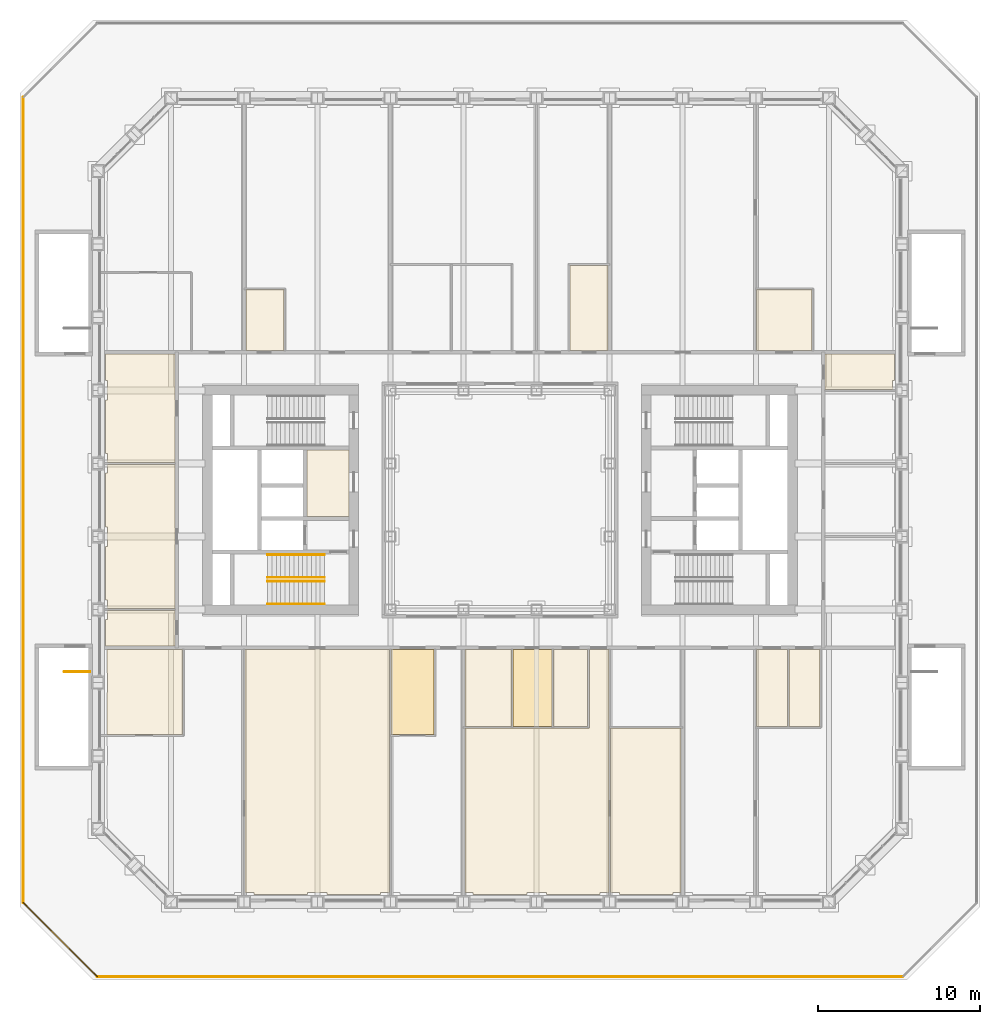
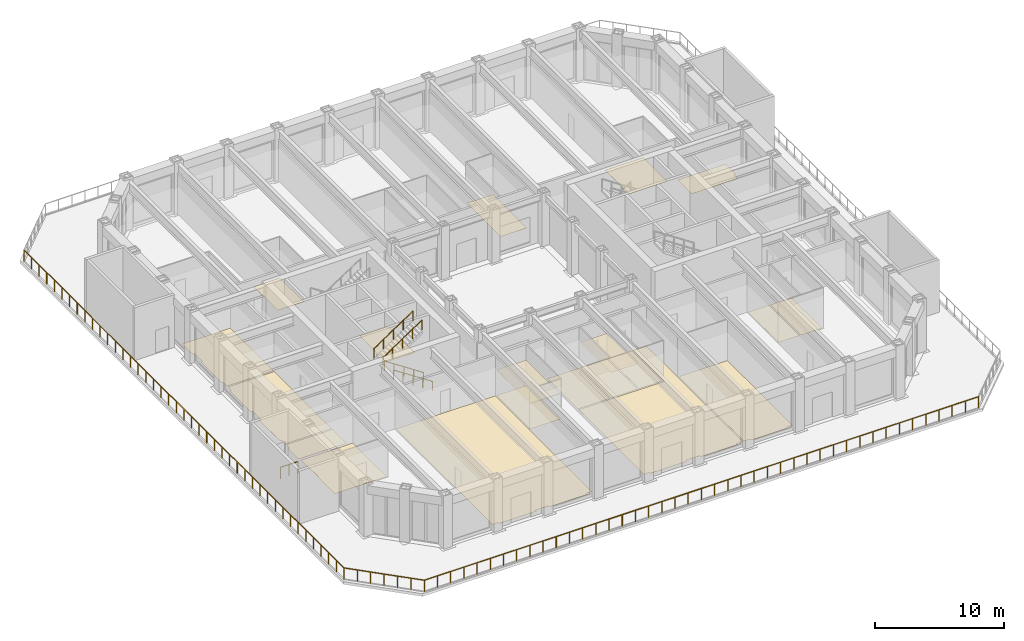
# One storey, part 15 of 18: 8 railings, 2 coverings.
"""IFC4 building model written with IfcOpenShell, lengths in metres."""

from ifc_helpers import new_model, si_unit, direction, frame, origin, origin_2d, place, context, subcontext, project, spatial, line, indexed_curve, circle, outline, extrude, material, layer, layer_set, type_object, element, save


model = new_model("IFC4")

# Units and contexts
model_context = context("Model", 3, precision=1e-05, world=origin(), true_north=direction((0.0, 1.0)))
body_context = subcontext(model_context, "Body", "Model", "MODEL_VIEW")
ifc_project = project(units=[si_unit("LENGTHUNIT", "METRE"), si_unit("AREAUNIT", "SQUARE_METRE"), si_unit("VOLUMEUNIT", "CUBIC_METRE"), si_unit("PLANEANGLEUNIT", "RADIAN"), si_unit("MASSUNIT", "GRAM", prefix="KILO")], contexts=[model_context])

# Site, building, storey
site_placement = place(None, origin())
site = spatial("IfcSite", under=ifc_project, at=site_placement, CompositionType="ELEMENT")
building_placement = place(site_placement, origin())
building = spatial("IfcBuilding", under=site, at=building_placement, Name="Msasa Ring Tower", CompositionType="ELEMENT")
storey_placement = place(building_placement, frame((0.0, 0.0, 21.5)))
storey = spatial("IfcBuildingStorey", under=building, at=storey_placement, Name="L04", CompositionType="ELEMENT", Elevation=21.5)

# Coverings
ifc_material_1 = material(Name="Perforated aluminium ceiling pans on a steel grid", Category="steel")
ifc_layer_1 = layer(ifc_material_1, 0.02490234375)
ifc_layer_set_1 = layer_set([ifc_layer_1], Name="C4 PERFORATED METAL PAN CEILING 25")
covering_type_1 = type_object("IfcCoveringType", Name="C4 PERFORATED METAL PAN CEILING 25", PredefinedType="CEILING", material=ifc_layer_set_1)
covering_1_placement = place(storey_placement, frame((0.0, 0.0, 2.39990234375)))
element("IfcCovering", 1, at=covering_1_placement, inside=storey, type_object=covering_type_1, Name="Perforated Metal Pan Ceiling 25 L04", PredefinedType="CEILING", context=body_context, shape_type="SweptSolid", body=[
    extrude(outline(indexed_curve([(-4.050537109375, -9.200439453125), (-4.050537109375, -14.449462890625), (-6.699462890625, -14.449462890625), (-6.699462890625, -9.200439453125)], segments=[line(1, 2, 3, 4, 1)], self_intersect=False)), origin(), (0.0, 0.0, 1.0), 0.025146484375),
    extrude(outline(indexed_curve([(3.199462890625, -9.200439453125), (3.199462890625, -13.949462890625), (0.800537109375, -13.949462890625), (0.800537109375, -9.200439453125)], segments=[line(1, 2, 3, 4, 1)], self_intersect=False)), origin(), (0.0, 0.0, 1.0), 0.025146484375),
])
ifc_material_2 = material(Name="Welded vinyl safety sheet flooring", Category="vinyl")
ifc_layer_2 = layer(ifc_material_2, 0.0029296875)
ifc_layer_set_2 = layer_set([ifc_layer_2], Name="F5 RESILIENT SHEET FLOORING 3")
covering_type_2 = type_object("IfcCoveringType", Name="F5 RESILIENT SHEET FLOORING 3", PredefinedType="FLOORING", material=ifc_layer_set_2)
covering_2_placement = place(storey_placement, origin())
element("IfcCovering", 2, at=covering_2_placement, inside=storey, type_object=covering_type_2, Name="Resilient Sheet Flooring 3 L04", PredefinedType="FLOORING", context=body_context, shape_type="SweptSolid", body=[
    extrude(outline(indexed_curve([(-24.299560546875, -8.99951171875), (-24.299560546875, -7.3505859375), (-24.1494140625, -7.3505859375), (-24.1494140625, -6.805419921875), (-20.00048828125, -6.805419921875), (-20.00048828125, -8.99951171875)], segments=[line(1, 2, 3, 4, 5, 6, 1)], self_intersect=False)), origin(), (0.0, 0.0, 1.0), 0.0029296875),
    extrude(outline(indexed_curve([(-24.1494140625, -6.694580078125), (-24.1494140625, -6.1494140625), (-24.299560546875, -6.1494140625), (-24.299560546875, -2.8505859375), (-24.1494140625, -2.8505859375), (-24.1494140625, -1.6494140625), (-24.299560546875, -1.6494140625), (-24.299560546875, 1.6494140625), (-24.1494140625, 1.6494140625), (-24.1494140625, 2.194580078125), (-20.00048828125, 2.194580078125), (-20.00048828125, -6.694580078125)], segments=[line(1, 2, 3, 4, 5, 6, 7, 8, 9, 10, 11, 12, 1)], self_intersect=False)), origin(), (0.0, 0.0, 1.0), 0.0029296875),
    extrude(outline(indexed_curve([(-24.299560546875, 6.1494140625), (-24.1494140625, 6.1494140625), (-24.1494140625, 7.3505859375), (-24.299560546875, 7.3505859375), (-24.299560546875, 8.99951171875), (-20.00048828125, 8.99951171875), (-20.00048828125, 2.305419921875), (-24.1494140625, 2.305419921875), (-24.1494140625, 2.8505859375), (-24.299560546875, 2.8505859375)], segments=[line(1, 2, 3, 4, 5, 6, 7, 8, 9, 10, 1)], self_intersect=False)), origin(), (0.0, 0.0, 1.0), 0.0029296875),
    extrude(outline(indexed_curve([(-19.550537109375, -9.200439453125), (-19.550537109375, -14.449462890625), (-24.199462890625, -14.449462890625), (-24.199462890625, -11.8505859375), (-24.1494140625, -11.8505859375), (-24.1494140625, -10.6494140625), (-24.199462890625, -10.6494140625), (-24.199462890625, -9.200439453125)], segments=[line(1, 2, 3, 4, 5, 6, 7, 8, 1)], self_intersect=False)), origin(), (0.0, 0.0, 1.0), 0.0029296875),
    extrude(outline(indexed_curve([(-6.800537109375, -9.200439453125), (-6.800537109375, -24.1494140625), (-7.3505859375, -24.1494140625), (-7.3505859375, -24.299560546875), (-10.6494140625, -24.299560546875), (-10.6494140625, -24.1494140625), (-11.8505859375, -24.1494140625), (-11.8505859375, -24.299560546875), (-15.1494140625, -24.299560546875), (-15.1494140625, -24.1494140625), (-15.699462890625, -24.1494140625), (-15.699462890625, -9.200439453125)], segments=[line(1, 2, 3, 4, 5, 6, 7, 8, 9, 10, 11, 12, 1)], self_intersect=False)), origin(), (0.0, 0.0, 1.0), 0.0029296875),
    extrude(outline(indexed_curve([(-13.300537109375, 9.200439453125), (-15.6494140625, 9.200439453125), (-15.6494140625, 12.949462890625), (-13.300537109375, 12.949462890625)], segments=[line(1, 2, 3, 4, 1)], self_intersect=False)), origin(), (0.0, 0.0, 1.0), 0.0029296875),
    extrude(outline(indexed_curve([(-9.300537109375, 3.074462890625), (-9.300537109375, -1.0244140625), (-11.87451171875, -1.0244140625), (-11.87451171875, 3.074462890625)], segments=[line(1, 2, 3, 4, 1)], self_intersect=False)), origin(), (0.0, 0.0, 1.0), 0.0029296875),
    extrude(outline(indexed_curve([(-4.050537109375, -9.200439453125), (-4.050537109375, -14.449462890625), (-6.699462890625, -14.449462890625), (-6.699462890625, -9.200439453125)], segments=[line(1, 2, 3, 4, 1)], self_intersect=False)), origin(), (0.0, 0.0, 1.0), 0.0029296875),
    extrude(outline(indexed_curve([(5.50048828125, -14.050537109375), (5.50048828125, -9.200439453125), (6.699462890625, -9.200439453125), (6.699462890625, -24.1494140625), (6.1494140625, -24.1494140625), (6.1494140625, -24.299560546875), (2.8505859375, -24.299560546875), (2.8505859375, -24.1494140625), (1.6494140625, -24.1494140625), (1.6494140625, -24.299560546875), (-1.6494140625, -24.299560546875), (-1.6494140625, -24.1494140625), (-2.1494140625, -24.1494140625), (-2.1494140625, -14.050537109375)], segments=[line(1, 2, 3, 4, 5, 6, 7, 8, 9, 10, 11, 12, 13, 14, 1)], self_intersect=False)), origin(), (0.0, 0.0, 1.0), 0.0029296875),
    extrude(outline(indexed_curve([(0.699462890625, -9.200439453125), (0.699462890625, -13.949462890625), (-2.1494140625, -13.949462890625), (-2.1494140625, -9.200439453125)], segments=[line(1, 2, 3, 4, 1)], self_intersect=False)), origin(), (0.0, 0.0, 1.0), 0.0029296875),
    extrude(outline(indexed_curve([(3.199462890625, -9.200439453125), (3.199462890625, -13.949462890625), (0.800537109375, -13.949462890625), (0.800537109375, -9.200439453125)], segments=[line(1, 2, 3, 4, 1)], self_intersect=False)), origin(), (0.0, 0.0, 1.0), 0.0029296875),
    extrude(outline(indexed_curve([(5.3994140625, -9.200439453125), (5.3994140625, -13.949462890625), (3.300537109375, -13.949462890625), (3.300537109375, -9.200439453125)], segments=[line(1, 2, 3, 4, 1)], self_intersect=False)), origin(), (0.0, 0.0, 1.0), 0.0029296875),
    extrude(outline(indexed_curve([(4.300537109375, 9.200439453125), (4.300537109375, 14.449462890625), (6.6494140625, 14.449462890625), (6.6494140625, 9.200439453125)], segments=[line(1, 2, 3, 4, 1)], self_intersect=False)), origin(), (0.0, 0.0, 1.0), 0.0029296875),
    extrude(outline(indexed_curve([(11.1494140625, -24.1494140625), (10.6494140625, -24.1494140625), (10.6494140625, -24.299560546875), (7.3505859375, -24.299560546875), (7.3505859375, -24.1494140625), (6.800537109375, -24.1494140625), (6.800537109375, -14.050537109375), (11.1494140625, -14.050537109375)], segments=[line(1, 2, 3, 4, 5, 6, 7, 8, 1)], self_intersect=False)), origin(), (0.0, 0.0, 1.0), 0.0029296875),
    extrude(outline(indexed_curve([(17.699462890625, -9.200439453125), (17.699462890625, -13.949462890625), (15.800537109375, -13.949462890625), (15.800537109375, -9.200439453125)], segments=[line(1, 2, 3, 4, 1)], self_intersect=False)), origin(), (0.0, 0.0, 1.0), 0.0029296875),
    extrude(outline(indexed_curve([(19.199462890625, 9.200439453125), (15.800537109375, 9.200439453125), (15.800537109375, 12.949462890625), (19.199462890625, 12.949462890625)], segments=[line(1, 2, 3, 4, 1)], self_intersect=False)), origin(), (0.0, 0.0, 1.0), 0.0029296875),
    extrude(outline(indexed_curve([(19.699462890625, -9.200439453125), (19.699462890625, -13.949462890625), (17.800537109375, -13.949462890625), (17.800537109375, -9.200439453125)], segments=[line(1, 2, 3, 4, 1)], self_intersect=False)), origin(), (0.0, 0.0, 1.0), 0.0029296875),
    extrude(outline(indexed_curve([(20.00048828125, 8.99951171875), (24.299560546875, 8.99951171875), (24.299560546875, 7.3505859375), (24.1494140625, 7.3505859375), (24.1494140625, 6.805419921875), (20.00048828125, 6.805419921875)], segments=[line(1, 2, 3, 4, 5, 6, 1)], self_intersect=False)), origin(), (0.0, 0.0, 1.0), 0.0029296875),
])

# Railings
ifc_material_3 = material(Name="Stainless steel", Category="steel")
railing_type_1 = type_object("IfcRailingType", Name="GR1 GUARD 1100", PredefinedType="GUARDRAIL", material=ifc_material_3)
railing_1_placement = place(storey_placement, frame((-26.824951171875, -10.574951171875, 0.0)))
element("IfcRailing", 3, at=railing_1_placement, inside=storey, type_object=railing_type_1, Name="Guard at the head of podium stair PWS", PredefinedType="GUARDRAIL", context=body_context, shape_type="SweptSolid", body=[
    extrude(circle(Radius=0.02392578125, at=origin_2d()), frame((0.0, 0.0, 1.076171875), z_axis=(1.0, 0.0, 0.0), x_axis=(0.0, 1.0, 0.0)), (0.0, 0.0, 1.0), 1.574951171875),
    extrude(circle(Radius=0.02099609375, at=origin_2d()), origin(), (0.0, 0.0, 1.0), 1.052001953125),
    extrude(circle(Radius=0.02099609375, at=origin_2d()), frame((0.78759765625, 0.0, 0.0)), (0.0, 0.0, 1.0), 1.052001953125),
    extrude(circle(Radius=0.02099609375, at=origin_2d()), frame((1.574951171875, 0.0, 0.0)), (0.0, 0.0, 1.0), 1.052001953125),
])
ifc_material_4 = material(Name="Stainless steel and laminated glass", Category="steel")
railing_type_2 = type_object("IfcRailingType", Name="GR2 TERRACE GUARD 1100", PredefinedType="GUARDRAIL", material=ifc_material_4)
railing_2_placement = place(storey_placement, frame((-24.79150390625, -29.35009765625, 0.0)))
element("IfcRailing", 4, at=railing_2_placement, inside=storey, type_object=railing_type_2, Name="Podium roof terrace guard S L04", PredefinedType="GUARDRAIL", context=body_context, shape_type="SweptSolid", body=[
    extrude(circle(Radius=0.02392578125, at=origin_2d()), frame((0.0, 0.0, 1.076171875), z_axis=(1.0, 0.0, 0.0), x_axis=(0.0, 1.0, 0.0)), (0.0, 0.0, 1.0), 49.5830078125),
    extrude(circle(Radius=0.02099609375, at=origin_2d()), origin(), (0.0, 0.0, 1.0), 1.052001953125),
    extrude(circle(Radius=0.02099609375, at=origin_2d()), frame((1.1806640625, 0.0, 0.0)), (0.0, 0.0, 1.0), 1.052001953125),
    extrude(circle(Radius=0.02099609375, at=origin_2d()), frame((2.361083984375, 0.0, 0.0)), (0.0, 0.0, 1.0), 1.052001953125),
    extrude(circle(Radius=0.02099609375, at=origin_2d()), frame((3.541748046875, 0.0, 0.0)), (0.0, 0.0, 1.0), 1.052001953125),
    extrude(circle(Radius=0.02099609375, at=origin_2d()), frame((4.72216796875, 0.0, 0.0)), (0.0, 0.0, 1.0), 1.052001953125),
    extrude(circle(Radius=0.02099609375, at=origin_2d()), frame((5.90283203125, 0.0, 0.0)), (0.0, 0.0, 1.0), 1.052001953125),
    extrude(circle(Radius=0.02099609375, at=origin_2d()), frame((7.083251953125, 0.0, 0.0)), (0.0, 0.0, 1.0), 1.052001953125),
    extrude(circle(Radius=0.02099609375, at=origin_2d()), frame((8.263916015625, 0.0, 0.0)), (0.0, 0.0, 1.0), 1.052001953125),
    extrude(circle(Radius=0.02099609375, at=origin_2d()), frame((9.4443359375, 0.0, 0.0)), (0.0, 0.0, 1.0), 1.052001953125),
    extrude(circle(Radius=0.02099609375, at=origin_2d()), frame((10.625, 0.0, 0.0)), (0.0, 0.0, 1.0), 1.052001953125),
    extrude(circle(Radius=0.02099609375, at=origin_2d()), frame((11.805419921875, 0.0, 0.0)), (0.0, 0.0, 1.0), 1.052001953125),
    extrude(circle(Radius=0.02099609375, at=origin_2d()), frame((12.986083984375, 0.0, 0.0)), (0.0, 0.0, 1.0), 1.052001953125),
    extrude(circle(Radius=0.02099609375, at=origin_2d()), frame((14.16650390625, 0.0, 0.0)), (0.0, 0.0, 1.0), 1.052001953125),
    extrude(circle(Radius=0.02099609375, at=origin_2d()), frame((15.34716796875, 0.0, 0.0)), (0.0, 0.0, 1.0), 1.052001953125),
    extrude(circle(Radius=0.02099609375, at=origin_2d()), frame((16.527587890625, 0.0, 0.0)), (0.0, 0.0, 1.0), 1.052001953125),
    extrude(circle(Radius=0.02099609375, at=origin_2d()), frame((17.708251953125, 0.0, 0.0)), (0.0, 0.0, 1.0), 1.052001953125),
    extrude(circle(Radius=0.02099609375, at=origin_2d()), frame((18.888671875, 0.0, 0.0)), (0.0, 0.0, 1.0), 1.052001953125),
    extrude(circle(Radius=0.02099609375, at=origin_2d()), frame((20.0693359375, 0.0, 0.0)), (0.0, 0.0, 1.0), 1.052001953125),
    extrude(circle(Radius=0.02099609375, at=origin_2d()), frame((21.249755859375, 0.0, 0.0)), (0.0, 0.0, 1.0), 1.052001953125),
    extrude(circle(Radius=0.02099609375, at=origin_2d()), frame((22.430419921875, 0.0, 0.0)), (0.0, 0.0, 1.0), 1.052001953125),
    extrude(circle(Radius=0.02099609375, at=origin_2d()), frame((23.61083984375, 0.0, 0.0)), (0.0, 0.0, 1.0), 1.052001953125),
    extrude(circle(Radius=0.02099609375, at=origin_2d()), frame((24.79150390625, 0.0, 0.0)), (0.0, 0.0, 1.0), 1.052001953125),
    extrude(circle(Radius=0.02099609375, at=origin_2d()), frame((25.97216796875, 0.0, 0.0)), (0.0, 0.0, 1.0), 1.052001953125),
    extrude(circle(Radius=0.02099609375, at=origin_2d()), frame((27.152587890625, 0.0, 0.0)), (0.0, 0.0, 1.0), 1.052001953125),
    extrude(circle(Radius=0.02099609375, at=origin_2d()), frame((28.333251953125, 0.0, 0.0)), (0.0, 0.0, 1.0), 1.052001953125),
    extrude(circle(Radius=0.02099609375, at=origin_2d()), frame((29.513671875, 0.0, 0.0)), (0.0, 0.0, 1.0), 1.052001953125),
    extrude(circle(Radius=0.02099609375, at=origin_2d()), frame((30.6943359375, 0.0, 0.0)), (0.0, 0.0, 1.0), 1.052001953125),
    extrude(circle(Radius=0.02099609375, at=origin_2d()), frame((31.874755859375, 0.0, 0.0)), (0.0, 0.0, 1.0), 1.052001953125),
    extrude(circle(Radius=0.02099609375, at=origin_2d()), frame((33.055419921875, 0.0, 0.0)), (0.0, 0.0, 1.0), 1.052001953125),
    extrude(circle(Radius=0.02099609375, at=origin_2d()), frame((34.23583984375, 0.0, 0.0)), (0.0, 0.0, 1.0), 1.052001953125),
    extrude(circle(Radius=0.02099609375, at=origin_2d()), frame((35.41650390625, 0.0, 0.0)), (0.0, 0.0, 1.0), 1.052001953125),
    extrude(circle(Radius=0.02099609375, at=origin_2d()), frame((36.596923828125, 0.0, 0.0)), (0.0, 0.0, 1.0), 1.052001953125),
    extrude(circle(Radius=0.02099609375, at=origin_2d()), frame((37.777587890625, 0.0, 0.0)), (0.0, 0.0, 1.0), 1.052001953125),
    extrude(circle(Radius=0.02099609375, at=origin_2d()), frame((38.9580078125, 0.0, 0.0)), (0.0, 0.0, 1.0), 1.052001953125),
    extrude(circle(Radius=0.02099609375, at=origin_2d()), frame((40.138671875, 0.0, 0.0)), (0.0, 0.0, 1.0), 1.052001953125),
    extrude(circle(Radius=0.02099609375, at=origin_2d()), frame((41.319091796875, 0.0, 0.0)), (0.0, 0.0, 1.0), 1.052001953125),
    extrude(circle(Radius=0.02099609375, at=origin_2d()), frame((42.499755859375, 0.0, 0.0)), (0.0, 0.0, 1.0), 1.052001953125),
    extrude(circle(Radius=0.02099609375, at=origin_2d()), frame((43.68017578125, 0.0, 0.0)), (0.0, 0.0, 1.0), 1.052001953125),
    extrude(circle(Radius=0.02099609375, at=origin_2d()), frame((44.86083984375, 0.0, 0.0)), (0.0, 0.0, 1.0), 1.052001953125),
    extrude(circle(Radius=0.02099609375, at=origin_2d()), frame((46.041259765625, 0.0, 0.0)), (0.0, 0.0, 1.0), 1.052001953125),
    extrude(circle(Radius=0.02099609375, at=origin_2d()), frame((47.221923828125, 0.0, 0.0)), (0.0, 0.0, 1.0), 1.052001953125),
    extrude(circle(Radius=0.02099609375, at=origin_2d()), frame((48.40234375, 0.0, 0.0)), (0.0, 0.0, 1.0), 1.052001953125),
    extrude(circle(Radius=0.02099609375, at=origin_2d()), frame((49.5830078125, 0.0, 0.0)), (0.0, 0.0, 1.0), 1.052001953125),
])
railing_3_placement = place(storey_placement, frame((-29.35009765625, 24.79150390625, 0.0)))
element("IfcRailing", 5, at=railing_3_placement, inside=storey, type_object=railing_type_2, Name="Podium roof terrace guard W L04", PredefinedType="GUARDRAIL", context=body_context, shape_type="SweptSolid", body=[
    extrude(circle(Radius=0.02392578125, at=origin_2d()), frame((0.0, 0.0, 1.076171875), z_axis=(0.0, -1.0, 0.0), x_axis=(1.0, 0.0, 0.0)), (0.0, 0.0, 1.0), 49.5830078125),
    extrude(circle(Radius=0.02099609375, at=origin_2d()), origin(), (0.0, 0.0, 1.0), 1.052001953125),
    extrude(circle(Radius=0.02099609375, at=origin_2d()), frame((0.0, -1.1806640625, 0.0)), (0.0, 0.0, 1.0), 1.052001953125),
    extrude(circle(Radius=0.02099609375, at=origin_2d()), frame((0.0, -2.361083984375, 0.0)), (0.0, 0.0, 1.0), 1.052001953125),
    extrude(circle(Radius=0.02099609375, at=origin_2d()), frame((0.0, -3.541748046875, 0.0)), (0.0, 0.0, 1.0), 1.052001953125),
    extrude(circle(Radius=0.02099609375, at=origin_2d()), frame((0.0, -4.72216796875, 0.0)), (0.0, 0.0, 1.0), 1.052001953125),
    extrude(circle(Radius=0.02099609375, at=origin_2d()), frame((0.0, -5.90283203125, 0.0)), (0.0, 0.0, 1.0), 1.052001953125),
    extrude(circle(Radius=0.02099609375, at=origin_2d()), frame((0.0, -7.083251953125, 0.0)), (0.0, 0.0, 1.0), 1.052001953125),
    extrude(circle(Radius=0.02099609375, at=origin_2d()), frame((0.0, -8.263916015625, 0.0)), (0.0, 0.0, 1.0), 1.052001953125),
    extrude(circle(Radius=0.02099609375, at=origin_2d()), frame((0.0, -9.4443359375, 0.0)), (0.0, 0.0, 1.0), 1.052001953125),
    extrude(circle(Radius=0.02099609375, at=origin_2d()), frame((0.0, -10.625, 0.0)), (0.0, 0.0, 1.0), 1.052001953125),
    extrude(circle(Radius=0.02099609375, at=origin_2d()), frame((0.0, -11.805419921875, 0.0)), (0.0, 0.0, 1.0), 1.052001953125),
    extrude(circle(Radius=0.02099609375, at=origin_2d()), frame((0.0, -12.986083984375, 0.0)), (0.0, 0.0, 1.0), 1.052001953125),
    extrude(circle(Radius=0.02099609375, at=origin_2d()), frame((0.0, -14.16650390625, 0.0)), (0.0, 0.0, 1.0), 1.052001953125),
    extrude(circle(Radius=0.02099609375, at=origin_2d()), frame((0.0, -15.34716796875, 0.0)), (0.0, 0.0, 1.0), 1.052001953125),
    extrude(circle(Radius=0.02099609375, at=origin_2d()), frame((0.0, -16.527587890625, 0.0)), (0.0, 0.0, 1.0), 1.052001953125),
    extrude(circle(Radius=0.02099609375, at=origin_2d()), frame((0.0, -17.708251953125, 0.0)), (0.0, 0.0, 1.0), 1.052001953125),
    extrude(circle(Radius=0.02099609375, at=origin_2d()), frame((0.0, -18.888671875, 0.0)), (0.0, 0.0, 1.0), 1.052001953125),
    extrude(circle(Radius=0.02099609375, at=origin_2d()), frame((0.0, -20.0693359375, 0.0)), (0.0, 0.0, 1.0), 1.052001953125),
    extrude(circle(Radius=0.02099609375, at=origin_2d()), frame((0.0, -21.249755859375, 0.0)), (0.0, 0.0, 1.0), 1.052001953125),
    extrude(circle(Radius=0.02099609375, at=origin_2d()), frame((0.0, -22.430419921875, 0.0)), (0.0, 0.0, 1.0), 1.052001953125),
    extrude(circle(Radius=0.02099609375, at=origin_2d()), frame((0.0, -23.61083984375, 0.0)), (0.0, 0.0, 1.0), 1.052001953125),
    extrude(circle(Radius=0.02099609375, at=origin_2d()), frame((0.0, -24.79150390625, 0.0)), (0.0, 0.0, 1.0), 1.052001953125),
    extrude(circle(Radius=0.02099609375, at=origin_2d()), frame((0.0, -25.97216796875, 0.0)), (0.0, 0.0, 1.0), 1.052001953125),
    extrude(circle(Radius=0.02099609375, at=origin_2d()), frame((0.0, -27.152587890625, 0.0)), (0.0, 0.0, 1.0), 1.052001953125),
    extrude(circle(Radius=0.02099609375, at=origin_2d()), frame((0.0, -28.333251953125, 0.0)), (0.0, 0.0, 1.0), 1.052001953125),
    extrude(circle(Radius=0.02099609375, at=origin_2d()), frame((0.0, -29.513671875, 0.0)), (0.0, 0.0, 1.0), 1.052001953125),
    extrude(circle(Radius=0.02099609375, at=origin_2d()), frame((0.0, -30.6943359375, 0.0)), (0.0, 0.0, 1.0), 1.052001953125),
    extrude(circle(Radius=0.02099609375, at=origin_2d()), frame((0.0, -31.874755859375, 0.0)), (0.0, 0.0, 1.0), 1.052001953125),
    extrude(circle(Radius=0.02099609375, at=origin_2d()), frame((0.0, -33.055419921875, 0.0)), (0.0, 0.0, 1.0), 1.052001953125),
    extrude(circle(Radius=0.02099609375, at=origin_2d()), frame((0.0, -34.23583984375, 0.0)), (0.0, 0.0, 1.0), 1.052001953125),
    extrude(circle(Radius=0.02099609375, at=origin_2d()), frame((0.0, -35.41650390625, 0.0)), (0.0, 0.0, 1.0), 1.052001953125),
    extrude(circle(Radius=0.02099609375, at=origin_2d()), frame((0.0, -36.596923828125, 0.0)), (0.0, 0.0, 1.0), 1.052001953125),
    extrude(circle(Radius=0.02099609375, at=origin_2d()), frame((0.0, -37.777587890625, 0.0)), (0.0, 0.0, 1.0), 1.052001953125),
    extrude(circle(Radius=0.02099609375, at=origin_2d()), frame((0.0, -38.9580078125, 0.0)), (0.0, 0.0, 1.0), 1.052001953125),
    extrude(circle(Radius=0.02099609375, at=origin_2d()), frame((0.0, -40.138671875, 0.0)), (0.0, 0.0, 1.0), 1.052001953125),
    extrude(circle(Radius=0.02099609375, at=origin_2d()), frame((0.0, -41.319091796875, 0.0)), (0.0, 0.0, 1.0), 1.052001953125),
    extrude(circle(Radius=0.02099609375, at=origin_2d()), frame((0.0, -42.499755859375, 0.0)), (0.0, 0.0, 1.0), 1.052001953125),
    extrude(circle(Radius=0.02099609375, at=origin_2d()), frame((0.0, -43.68017578125, 0.0)), (0.0, 0.0, 1.0), 1.052001953125),
    extrude(circle(Radius=0.02099609375, at=origin_2d()), frame((0.0, -44.86083984375, 0.0)), (0.0, 0.0, 1.0), 1.052001953125),
    extrude(circle(Radius=0.02099609375, at=origin_2d()), frame((0.0, -46.041259765625, 0.0)), (0.0, 0.0, 1.0), 1.052001953125),
    extrude(circle(Radius=0.02099609375, at=origin_2d()), frame((0.0, -47.221923828125, 0.0)), (0.0, 0.0, 1.0), 1.052001953125),
    extrude(circle(Radius=0.02099609375, at=origin_2d()), frame((0.0, -48.40234375, 0.0)), (0.0, 0.0, 1.0), 1.052001953125),
    extrude(circle(Radius=0.02099609375, at=origin_2d()), frame((0.0, -49.5830078125, 0.0)), (0.0, 0.0, 1.0), 1.052001953125),
])
railing_4_placement = place(storey_placement, frame((-29.35009765625, -24.79150390625, 0.0)))
element("IfcRailing", 6, at=railing_4_placement, inside=storey, type_object=railing_type_2, Name="Podium roof terrace guard SW L04", PredefinedType="GUARDRAIL", context=body_context, shape_type="SweptSolid", body=[
    extrude(circle(Radius=0.02392578125, at=origin_2d()), frame((0.0, 0.0, 1.076171875), z_axis=(0.707106781187, -0.707106781187, 0.0), x_axis=(0.707106781187, 0.707106781187, 0.0)), (0.0, 0.0, 1.0), 6.44677734375),
    extrude(circle(Radius=0.02099609375, at=origin_2d()), origin(), (0.0, 0.0, 1.0), 1.052001953125),
    extrude(circle(Radius=0.02099609375, at=origin_2d()), frame((0.759765625, -0.759765625, 0.0)), (0.0, 0.0, 1.0), 1.052001953125),
    extrude(circle(Radius=0.02099609375, at=origin_2d()), frame((1.51953125, -1.51953125, 0.0)), (0.0, 0.0, 1.0), 1.052001953125),
    extrude(circle(Radius=0.02099609375, at=origin_2d()), frame((2.279296875, -2.279296875, 0.0)), (0.0, 0.0, 1.0), 1.052001953125),
    extrude(circle(Radius=0.02099609375, at=origin_2d()), frame((3.0390625, -3.0390625, 0.0)), (0.0, 0.0, 1.0), 1.052001953125),
    extrude(circle(Radius=0.02099609375, at=origin_2d()), frame((3.798828125, -3.798828125, 0.0)), (0.0, 0.0, 1.0), 1.052001953125),
    extrude(circle(Radius=0.02099609375, at=origin_2d()), frame((4.55859375, -4.55859375, 0.0)), (0.0, 0.0, 1.0), 1.052001953125),
])
ifc_material_5 = material(Name="Stainless steel", Category="steel")
railing_type_3 = type_object("IfcRailingType", Name="HR1 HANDRAIL 900", PredefinedType="HANDRAIL", material=ifc_material_5)
for number, where, name in (
    (7, (-10.800048828125, -6.39990234375, 0.178466796875), "Handrail stair SWA L04 1"),
    (8, (-10.800048828125, -5.0, 0.178466796875), "Handrail stair SWA L04 2"),
):
    element("IfcRailing", number, at=place(storey_placement, frame(where)), inside=storey, type_object=railing_type_3, Name=name, PredefinedType="HANDRAIL", context=body_context, shape_type="SweptSolid", body=[
        extrude(circle(Radius=0.02392578125, at=origin_2d()), frame((0.0, 0.0, 0.8759765625), z_axis=(-0.834070780157, 0.0, 0.551657442339), x_axis=(0.0, -1.0, 0.0)), (0.0, 0.0, 1.0), 4.208251953125),
        extrude(circle(Radius=0.02099609375, at=origin_2d()), origin(), (0.0, 0.0, 1.0), 0.851806640625),
        extrude(circle(Radius=0.02099609375, at=origin_2d()), frame((-0.87744140625, 0.0, 0.580322265625)), (0.0, 0.0, 1.0), 0.851806640625),
        extrude(circle(Radius=0.02099609375, at=origin_2d()), frame((-1.7548828125, 0.0, 1.16064453125)), (0.0, 0.0, 1.0), 0.851806640625),
        extrude(circle(Radius=0.02099609375, at=origin_2d()), frame((-2.632568359375, 0.0, 1.7412109375)), (0.0, 0.0, 1.0), 0.851806640625),
        extrude(circle(Radius=0.02099609375, at=origin_2d()), frame((-3.510009765625, 0.0, 2.321533203125)), (0.0, 0.0, 1.0), 0.851806640625),
    ])
for number, where, name in (
    (9, (-14.31005859375, -4.77490234375, 2.678466796875), "Handrail stair SWA L04 3"),
    (10, (-14.31005859375, -3.375, 2.678466796875), "Handrail stair SWA L04 4"),
):
    element("IfcRailing", number, at=place(storey_placement, frame(where)), inside=storey, type_object=railing_type_3, Name=name, PredefinedType="HANDRAIL", context=body_context, shape_type="SweptSolid", body=[
        extrude(circle(Radius=0.02392578125, at=origin_2d()), frame((0.0, 0.0, 0.8759765625), z_axis=(0.834070780157, 0.0, 0.551657442339), x_axis=(0.0, 1.0, 0.0)), (0.0, 0.0, 1.0), 4.208251953125),
        extrude(circle(Radius=0.02099609375, at=origin_2d()), origin(), (0.0, 0.0, 1.0), 0.851806640625),
        extrude(circle(Radius=0.02099609375, at=origin_2d()), frame((0.87744140625, 0.0, 0.580322265625)), (0.0, 0.0, 1.0), 0.851806640625),
        extrude(circle(Radius=0.02099609375, at=origin_2d()), frame((1.7548828125, 0.0, 1.16064453125)), (0.0, 0.0, 1.0), 0.851806640625),
        extrude(circle(Radius=0.02099609375, at=origin_2d()), frame((2.632568359375, 0.0, 1.7412109375)), (0.0, 0.0, 1.0), 0.851806640625),
        extrude(circle(Radius=0.02099609375, at=origin_2d()), frame((3.510009765625, 0.0, 2.321533203125)), (0.0, 0.0, 1.0), 0.851806640625),
    ])

save(model, "model.ifc")
